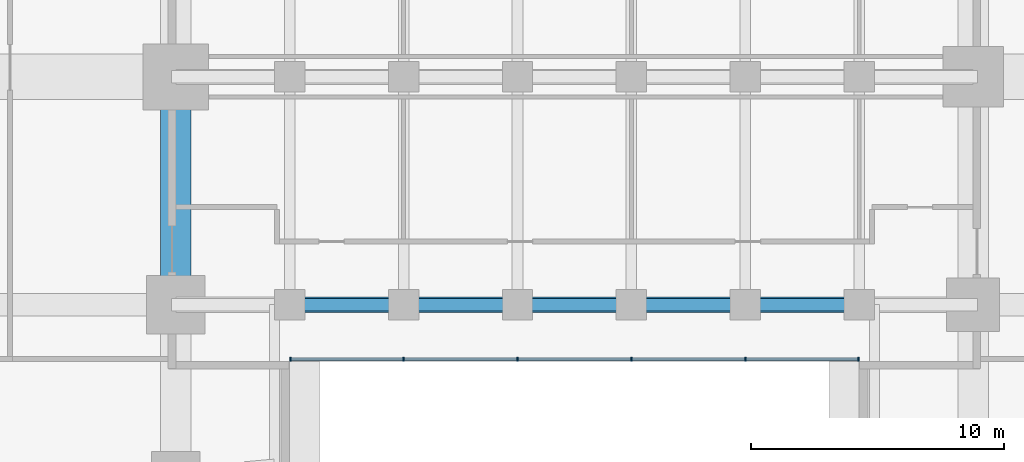
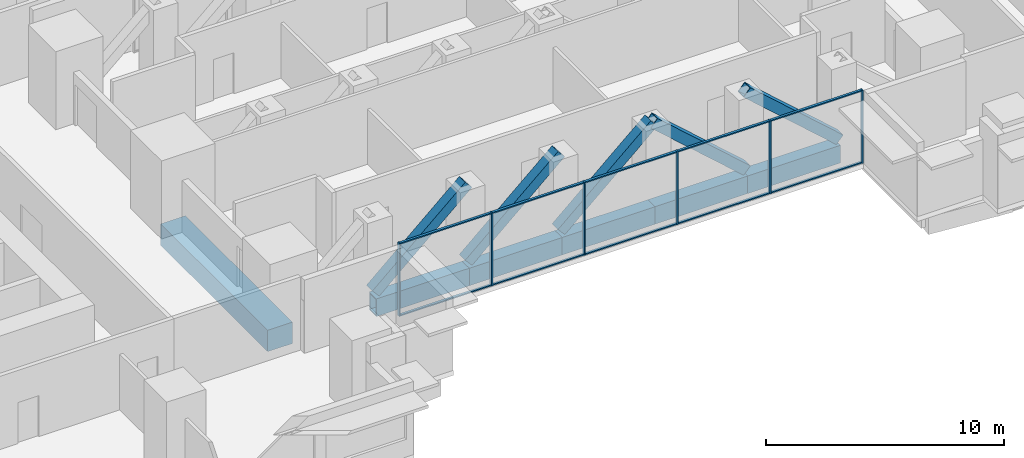
# One storey, part 2 of 16: 21 members, 6 beams, 1 element without a shape of its own.
"""IFC4 building model written with IfcOpenShell, lengths in metres."""

import ifcopenshell
import ifcopenshell.guid

model = None  # the IFC model being written
_history = None  # IfcOwnerHistory: only IFC2X3 demands one
_inside = {}  # id of a spatial element -> (the spatial element, [elements in it])
_under = {}  # id of a project, library or spatial element -> (it, [spatial elements below it])
_declared = {}  # id of a project -> (the project, [libraries it declares])
_typed = {}  # id of a type object -> (the type object, [elements of that type])
_made_of = {}  # id of a material, layer set ... -> (it, [elements and type objects made of it])


def new_model(schema):
    """Start an empty IFC model of exactly this schema.

    Asked for "IFC4X3", IfcOpenShell would pick the latest addendum, in which some entities
    have other attributes; the version numbers below select the first issue.
    IFC2X3 requires an IfcOwnerHistory on every rooted entity: one is made here for all.
    """
    global model, _history
    if schema == "IFC4X3":
        model = ifcopenshell.file(schema_version=(4, 3, 0, 0))
    else:
        model = ifcopenshell.file(schema=schema)
    _inside.clear()
    _under.clear()
    _declared.clear()
    _typed.clear()
    _made_of.clear()
    _history = None
    if model.schema == "IFC2X3":
        org = make("IfcOrganization", Name="unknown")
        user = make(
            "IfcPersonAndOrganization",
            ThePerson=make("IfcPerson", FamilyName="unknown"),
            TheOrganization=org,
        )
        app = make(
            "IfcApplication",
            ApplicationDeveloper=org,
            Version="unknown",
            ApplicationFullName="unknown",
            ApplicationIdentifier="unknown",
        )
        _history = make(
            "IfcOwnerHistory",
            OwningUser=user,
            OwningApplication=app,
            ChangeAction="ADDED",
            CreationDate=0,
        )
    return model


def make(cls, **values):
    """One entity of the class cls with the attributes given. An attribute that is None is left unset."""
    return model.create_entity(
        cls, **{name: value for name, value in values.items() if value is not None}
    )


def rooted(cls, **values):
    """An entity with a GlobalId (a new one), such as an element, a storey or a relation."""
    return make(cls, GlobalId=ifcopenshell.guid.new(), OwnerHistory=_history, **values)


def si_unit(unit_type, name, prefix=None):
    """IfcSIUnit, for example si_unit("LENGTHUNIT", "METRE", prefix="MILLI")."""
    return make("IfcSIUnit", UnitType=unit_type, Prefix=prefix, Name=name)


def assignment(units):
    """IfcUnitAssignment: the units of a project."""
    return None if units is None else make("IfcUnitAssignment", Units=units)


def point(xyz):
    """IfcCartesianPoint."""
    return None if xyz is None else make("IfcCartesianPoint", Coordinates=xyz)


def direction(xyz):
    """IfcDirection."""
    return None if xyz is None else make("IfcDirection", DirectionRatios=xyz)


def frame(location, z_axis=None, x_axis=None):
    """IfcAxis2Placement3D, a coordinate frame: its origin and axes. An axis left out is left unset."""
    return make(
        "IfcAxis2Placement3D",
        Location=point(location),
        Axis=direction(z_axis),
        RefDirection=direction(x_axis),
    )


def frame_2d(location, x_axis=None):
    """IfcAxis2Placement2D, a coordinate frame in the plane: its origin and x axis."""
    return make(
        "IfcAxis2Placement2D", Location=point(location), RefDirection=direction(x_axis)
    )


def origin():
    """The frame at (0, 0, 0) with its axes left unset."""
    return frame((0.0, 0.0, 0.0))


def origin_2d():
    """The frame at (0, 0) in the plane with its x axis left unset."""
    return frame_2d((0.0, 0.0))


def place(relative_to, where):
    """IfcLocalPlacement: puts the frame where relative to a parent placement (None: the world)."""
    return make(
        "IfcLocalPlacement", PlacementRelTo=relative_to, RelativePlacement=where
    )


def context(
    kind, dimensions, precision=None, world=None, true_north=None, identifier=None
):
    """IfcGeometricRepresentationContext, for example the 3D "Model" context."""
    return make(
        "IfcGeometricRepresentationContext",
        ContextIdentifier=identifier,
        ContextType=kind,
        CoordinateSpaceDimension=dimensions,
        Precision=precision,
        WorldCoordinateSystem=world,
        TrueNorth=true_north,
    )


def subcontext(parent, identifier, kind, view, scale=None):
    """IfcGeometricRepresentationSubContext, for example "Body" below "Model"."""
    return make(
        "IfcGeometricRepresentationSubContext",
        ContextIdentifier=identifier,
        ContextType=kind,
        ParentContext=parent,
        TargetScale=scale,
        TargetView=view,
    )


def project(units=None, contexts=None):
    """IfcProject with its units and contexts."""
    return rooted(
        "IfcProject",
        Name="project",
        RepresentationContexts=contexts,
        UnitsInContext=assignment(units),
    )


def spatial(cls, under=None, at=None, **own):
    """A site, building, storey or space (cls), placed at a placement, below another one or the project."""
    s = rooted(cls, ObjectPlacement=at, **own)
    if under is not None:
        _under.setdefault(under.id(), (under, []))[1].append(s)
    return s


def profile(cls, at=None, kind="AREA", **sizes):
    """A parametric profile (cls). Its sizes go by their IFC names, for example OverallWidth=200.0."""
    return make(cls, ProfileType=kind, Position=at, **sizes)


def rectangle(**sizes):
    """IfcRectangleProfileDef."""
    return profile("IfcRectangleProfileDef", **sizes)


def hollow_rectangle(**sizes):
    """IfcRectangleHollowProfileDef."""
    return profile("IfcRectangleHollowProfileDef", **sizes)


def extrude(swept, where, along, depth):
    """IfcExtrudedAreaSolid: the profile swept, set in the frame where, extruded along a direction by depth."""
    return make(
        "IfcExtrudedAreaSolid",
        SweptArea=swept,
        Position=where,
        ExtrudedDirection=direction(along),
        Depth=depth,
    )


def shape(context_of_items, identifier, shape_type, items):
    """IfcShapeRepresentation: the items that make up one representation, for example the "Body"."""
    return make(
        "IfcShapeRepresentation",
        ContextOfItems=context_of_items,
        RepresentationIdentifier=identifier,
        RepresentationType=shape_type,
        Items=items,
    )


def material(Name=None, Category=None):
    """IfcMaterial."""
    return make("IfcMaterial", Name=Name, Category=Category)


def layer(
    of_material, thickness, ventilated=None, Name=None, Category=None, Priority=None
):
    """IfcMaterialLayer: one layer of a wall or slab, of a material (None: an air gap)."""
    return make(
        "IfcMaterialLayer",
        Material=of_material,
        LayerThickness=thickness,
        IsVentilated=ventilated,
        Name=Name,
        Category=Category,
        Priority=Priority,
    )


def layer_set(layers, Name=None):
    """IfcMaterialLayerSet."""
    return make("IfcMaterialLayerSet", MaterialLayers=layers, LayerSetName=Name)


def material_profile(
    of_material, cross_section, Name=None, Category=None, Priority=None
):
    """IfcMaterialProfile: a cross section and its material."""
    return make(
        "IfcMaterialProfile",
        Name=Name,
        Material=of_material,
        Profile=cross_section,
        Priority=Priority,
        Category=Category,
    )


def profile_set(profiles, Name=None, composite=None):
    """IfcMaterialProfileSet."""
    return make(
        "IfcMaterialProfileSet",
        Name=Name,
        MaterialProfiles=profiles,
        CompositeProfile=composite,
    )


def made_of(thing, what):
    """Note that an element or type object is made of a material, layer set ...; save() writes the relation."""
    if what is not None:
        _made_of.setdefault(what.id(), (what, []))[1].append(thing)
    return thing


def type_object(cls, material=None, **own):
    """A type object (cls), such as IfcWallType, which elements share."""
    return made_of(rooted(cls, **own), material)


def element(
    cls,
    number,
    at=None,
    inside=None,
    cuts=None,
    type_object=None,
    material=None,
    context=None,
    identifier="Body",
    shape_type=None,
    held_by="IfcProductDefinitionShape",
    body=None,
    shapes=None,
    **own,
):
    """One element of the class cls, such as IfcWall. Its Tag is "e" and its number.

    at: its placement. inside: the storey or other place that contains it. cuts: it is an
    opening in that element (IfcRelVoidsElement). A single representation is given by context,
    identifier, shape_type and body (its items); several are given by shapes. held_by: the class
    of the entity that holds the representations. save() writes the other relations.
    """
    e = rooted(cls, Tag="e%d" % number, ObjectPlacement=at, **own)
    if body is not None:
        shapes = [shape(context, identifier, shape_type, body)]
    if shapes is not None:
        e.Representation = make(held_by, Representations=shapes)
    if inside is not None:
        _inside.setdefault(inside.id(), (inside, []))[1].append(e)
    if cuts is not None:
        rooted(
            "IfcRelVoidsElement", RelatingBuildingElement=cuts, RelatedOpeningElement=e
        )
    if type_object is not None:
        _typed.setdefault(type_object.id(), (type_object, []))[1].append(e)
    return made_of(e, material)


def aggregate(whole, parts):
    """IfcRelAggregates: a whole, such as a stair, and the parts it consists of."""
    return rooted("IfcRelAggregates", RelatingObject=whole, RelatedObjects=parts)


def save(model, path):
    """Write the relations noted so far, then the file.

    IfcRelAggregates (storeys below a building ...), IfcRelContainedInSpatialStructure (elements
    in a storey), IfcRelDefinesByType, IfcRelAssociatesMaterial and IfcRelDeclares: one each for
    every whole, place, type object, material and project.
    """
    for whole, parts in _under.values():
        aggregate(whole, parts)
    for where, things in _inside.values():
        rooted(
            "IfcRelContainedInSpatialStructure",
            RelatedElements=things,
            RelatingStructure=where,
        )
    for kind, things in _typed.values():
        rooted("IfcRelDefinesByType", RelatedObjects=things, RelatingType=kind)
    for what, things in _made_of.values():
        rooted("IfcRelAssociatesMaterial", RelatedObjects=things, RelatingMaterial=what)
    for by, libraries in _declared.values():
        rooted("IfcRelDeclares", RelatingContext=by, RelatedDefinitions=libraries)
    model.write(path)


model = new_model("IFC4")

# Units and contexts
model_context = context("Model", 3, precision=1e-05, world=origin(), true_north=direction((0.0, 1.0)))
body_context = subcontext(model_context, "Body", "Model", "MODEL_VIEW")
ifc_project = project(units=[si_unit("LENGTHUNIT", "METRE"), si_unit("AREAUNIT", "SQUARE_METRE"), si_unit("VOLUMEUNIT", "CUBIC_METRE"), si_unit("PLANEANGLEUNIT", "RADIAN"), si_unit("MASSUNIT", "GRAM", prefix="KILO")], contexts=[model_context])

# Site, building, storey
site_placement = place(None, origin())
site = spatial("IfcSite", under=ifc_project, at=site_placement, CompositionType="ELEMENT")
building_placement = place(site_placement, origin())
building = spatial("IfcBuilding", under=site, at=building_placement, Name="Namib Vertical Campus", CompositionType="ELEMENT")
storey_placement = place(building_placement, frame((0.0, 0.0, 121.0)))
storey = spatial("IfcBuildingStorey", under=building, at=storey_placement, Name="L28", CompositionType="ELEMENT", Elevation=121.0)

# Members
ifc_material_1 = material(Name="Steel S355JR", Category="steel")
ifc_material_profile_1 = material_profile(ifc_material_1, hollow_rectangle(XDim=0.5, YDim=0.5, WallThickness=0.031982421875, at=origin_2d()))
ifc_profile_set_1 = profile_set([ifc_material_profile_1], Name="Steel S355JR")
member_type_1 = type_object("IfcMemberType", Name="Bridge end brace WB 500x500x32", PredefinedType="BRACE", material=ifc_profile_set_1)
for number, where, z_axis, x_axis, name in (
    (1, (40.5, 11.25, 0.0), (0.747409318684, 0.0, 0.66436383883), (0.0, 1.0, 0.0), "Bridge brace BX1 L28 T1 bay 2"),
    (2, (45.0, 11.25, 0.0), (0.747409318684, 0.0, 0.66436383883), (0.0, 1.0, 0.0), "Bridge brace BX1 L28 T1 bay 3"),
    (3, (49.5, 11.25, 0.0), (0.747409318684, 0.0, 0.66436383883), (0.0, 1.0, 0.0), "Bridge brace BX1 L28 T1 bay 4"),
    (4, (58.5, 11.25, 0.0), (-0.747409318684, 0.0, 0.66436383883), (0.0, -1.0, 0.0), "Bridge brace BX1 L28 T1 bay 5"),
    (5, (63.0, 11.25, 0.0), (-0.747409318684, 0.0, 0.66436383883), (0.0, -1.0, 0.0), "Bridge brace BX1 L28 T1 bay 6"),
):
    element("IfcMember", number, at=place(storey_placement, frame(where, z_axis=z_axis, x_axis=x_axis)), inside=storey, type_object=member_type_1, Name=name, PredefinedType="BRACE", context=body_context, shape_type="SweptSolid", body=[
        extrude(hollow_rectangle(XDim=0.5, YDim=0.5, WallThickness=0.031982421875, at=origin_2d()), origin(), (0.0, 0.0, 1.0), 6.020751953125),
    ])

# Beams
ifc_material_2 = material(Name="Steel S355JR", Category="steel")
ifc_material_profile_2 = material_profile(ifc_material_2, hollow_rectangle(XDim=0.60009765625, YDim=0.89990234375, WallThickness=0.050048828125, at=origin_2d()))
ifc_profile_set_2 = profile_set([ifc_material_profile_2], Name="Steel S355JR")
beam_type_1 = type_object("IfcBeamType", Name="Bridge girder WB 900x600x50", PredefinedType="BEAM", material=ifc_profile_set_2)
for number, where, z_axis, x_axis, name in (
    (6, (40.5, 11.25, -0.699951171875), (1.0, 0.0, 0.0), (0.0, 1.0, 0.0), "Bridge girder BG1 L28"),
    (7, (45.0, 11.25, -0.699951171875), (1.0, 0.0, 0.0), (0.0, 1.0, 0.0), "Bridge girder BG1 L28"),
    (8, (49.5, 11.25, -0.699951171875), (1.0, 0.0, 0.0), (0.0, 1.0, 0.0), "Bridge girder BG1 L28"),
    (9, (54.0, 11.25, -0.699951171875), (1.0, 0.0, 0.0), (0.0, 1.0, 0.0), "Bridge girder BG1 L28"),
    (10, (58.5, 11.25, -0.699951171875), (1.0, 0.0, 0.0), (0.0, 1.0, 0.0), "Bridge girder BG1 L28"),
):
    element("IfcBeam", number, at=place(storey_placement, frame(where, z_axis=z_axis, x_axis=x_axis)), inside=storey, type_object=beam_type_1, Name=name, PredefinedType="BEAM", context=body_context, shape_type="SweptSolid", body=[
        extrude(hollow_rectangle(XDim=0.60009765625, YDim=0.89990234375, WallThickness=0.050048828125, at=origin_2d()), origin(), (0.0, 0.0, 1.0), 4.5),
    ])

# Curtain wall, members
ifc_material_3 = material(Name="Black aluminium curtain wall", Category="aluminium")
ifc_layer = layer(ifc_material_3, 0.199951171875)
ifc_layer_set = layer_set([ifc_layer], Name="Bridge curtain wall CW-BR")
curtain_wall_type = type_object("IfcCurtainWallType", Name="Bridge curtain wall CW-BR", PredefinedType="USERDEFINED", material=ifc_layer_set)
curtain_wall_placement = place(storey_placement, origin())
curtain_wall = element("IfcCurtainWall", 11, at=curtain_wall_placement, inside=storey, type_object=curtain_wall_type, Name="Curtain wall CW-BR L28 S", ObjectType="CURTAIN WALL", PredefinedType="USERDEFINED")
ifc_material_4 = material(Name="Black anodised aluminium", Category="aluminium")
ifc_material_profile_3 = material_profile(ifc_material_4, rectangle(XDim=0.06005859375, YDim=0.159912109375, at=origin_2d()))
ifc_profile_set_3 = profile_set([ifc_material_profile_3], Name="Black anodised aluminium")
member_type_2 = type_object("IfcMemberType", Name="Curtain wall mullion 60x160", PredefinedType="MULLION", material=ifc_profile_set_3)
member_1_placement = place(storey_placement, frame((40.530029296875, 9.10009765625, 0.0), z_axis=(0.0, 0.0, 1.0), x_axis=(1.0, 0.0, 0.0)))
member_1 = element("IfcMember", 12, at=member_1_placement, type_object=member_type_2, Name="CW-BR mullion 1", PredefinedType="MULLION", context=body_context, shape_type="SweptSolid", body=[
    extrude(rectangle(XDim=0.06005859375, YDim=0.159912109375, at=origin_2d()), origin(), (0.0, 0.0, 1.0), 3.75),
])
member_2_placement = place(storey_placement, frame((45.0, 9.10009765625, 0.0), z_axis=(0.0, 0.0, 1.0), x_axis=(1.0, 0.0, 0.0)))
member_2 = element("IfcMember", 13, at=member_2_placement, type_object=member_type_2, Name="CW-BR mullion 2", PredefinedType="MULLION", context=body_context, shape_type="SweptSolid", body=[
    extrude(rectangle(XDim=0.06005859375, YDim=0.159912109375, at=origin_2d()), origin(), (0.0, 0.0, 1.0), 3.75),
])
member_3_placement = place(storey_placement, frame((49.5, 9.10009765625, 0.0), z_axis=(0.0, 0.0, 1.0), x_axis=(1.0, 0.0, 0.0)))
member_3 = element("IfcMember", 14, at=member_3_placement, type_object=member_type_2, Name="CW-BR mullion 3", PredefinedType="MULLION", context=body_context, shape_type="SweptSolid", body=[
    extrude(rectangle(XDim=0.06005859375, YDim=0.159912109375, at=origin_2d()), origin(), (0.0, 0.0, 1.0), 3.75),
])
member_4_placement = place(storey_placement, frame((54.0, 9.10009765625, 0.0), z_axis=(0.0, 0.0, 1.0), x_axis=(1.0, 0.0, 0.0)))
member_4 = element("IfcMember", 15, at=member_4_placement, type_object=member_type_2, Name="CW-BR mullion 4", PredefinedType="MULLION", context=body_context, shape_type="SweptSolid", body=[
    extrude(rectangle(XDim=0.06005859375, YDim=0.159912109375, at=origin_2d()), origin(), (0.0, 0.0, 1.0), 3.75),
])
member_5_placement = place(storey_placement, frame((58.5, 9.10009765625, 0.0), z_axis=(0.0, 0.0, 1.0), x_axis=(1.0, 0.0, 0.0)))
member_5 = element("IfcMember", 16, at=member_5_placement, type_object=member_type_2, Name="CW-BR mullion 5", PredefinedType="MULLION", context=body_context, shape_type="SweptSolid", body=[
    extrude(rectangle(XDim=0.06005859375, YDim=0.159912109375, at=origin_2d()), origin(), (0.0, 0.0, 1.0), 3.75),
])
member_6_placement = place(storey_placement, frame((62.969970703125, 9.10009765625, 0.0), z_axis=(0.0, 0.0, 1.0), x_axis=(1.0, 0.0, 0.0)))
member_6 = element("IfcMember", 17, at=member_6_placement, type_object=member_type_2, Name="CW-BR mullion 6", PredefinedType="MULLION", context=body_context, shape_type="SweptSolid", body=[
    extrude(rectangle(XDim=0.06005859375, YDim=0.159912109375, at=origin_2d()), origin(), (0.0, 0.0, 1.0), 3.75),
])
ifc_material_5 = material(Name="Black anodised aluminium", Category="aluminium")
ifc_material_profile_4 = material_profile(ifc_material_5, rectangle(XDim=0.06005859375, YDim=0.1201171875, at=origin_2d()))
ifc_profile_set_4 = profile_set([ifc_material_profile_4], Name="Black anodised aluminium")
member_type_3 = type_object("IfcMemberType", Name="Curtain wall transom 60x120", PredefinedType="USERDEFINED", material=ifc_profile_set_4)
member_7_placement = place(storey_placement, frame((40.56005859375, 9.10009765625, 0.030029296875), z_axis=(1.0, 0.0, 0.0), x_axis=(0.0, 0.0, 1.0)))
member_7 = element("IfcMember", 18, at=member_7_placement, type_object=member_type_3, Name="CW-BR transom 1.1", ObjectType="TRANSOM", PredefinedType="USERDEFINED", context=body_context, shape_type="SweptSolid", body=[
    extrude(rectangle(XDim=0.06005859375, YDim=0.1201171875, at=origin_2d()), origin(), (0.0, 0.0, 1.0), 4.409912109375),
])
member_8_placement = place(storey_placement, frame((40.56005859375, 9.10009765625, 3.719970703125), z_axis=(1.0, 0.0, 0.0), x_axis=(0.0, 0.0, 1.0)))
member_8 = element("IfcMember", 19, at=member_8_placement, type_object=member_type_3, Name="CW-BR transom 1.2", ObjectType="TRANSOM", PredefinedType="USERDEFINED", context=body_context, shape_type="SweptSolid", body=[
    extrude(rectangle(XDim=0.06005859375, YDim=0.1201171875, at=origin_2d()), origin(), (0.0, 0.0, 1.0), 4.409912109375),
])
member_9_placement = place(storey_placement, frame((45.030029296875, 9.10009765625, 0.030029296875), z_axis=(1.0, 0.0, 0.0), x_axis=(0.0, 0.0, 1.0)))
member_9 = element("IfcMember", 20, at=member_9_placement, type_object=member_type_3, Name="CW-BR transom 2.1", ObjectType="TRANSOM", PredefinedType="USERDEFINED", context=body_context, shape_type="SweptSolid", body=[
    extrude(rectangle(XDim=0.06005859375, YDim=0.1201171875, at=origin_2d()), origin(), (0.0, 0.0, 1.0), 4.43994140625),
])
member_10_placement = place(storey_placement, frame((45.030029296875, 9.10009765625, 3.719970703125), z_axis=(1.0, 0.0, 0.0), x_axis=(0.0, 0.0, 1.0)))
member_10 = element("IfcMember", 21, at=member_10_placement, type_object=member_type_3, Name="CW-BR transom 2.2", ObjectType="TRANSOM", PredefinedType="USERDEFINED", context=body_context, shape_type="SweptSolid", body=[
    extrude(rectangle(XDim=0.06005859375, YDim=0.1201171875, at=origin_2d()), origin(), (0.0, 0.0, 1.0), 4.43994140625),
])
member_11_placement = place(storey_placement, frame((49.530029296875, 9.10009765625, 0.030029296875), z_axis=(1.0, 0.0, 0.0), x_axis=(0.0, 0.0, 1.0)))
member_11 = element("IfcMember", 22, at=member_11_placement, type_object=member_type_3, Name="CW-BR transom 3.1", ObjectType="TRANSOM", PredefinedType="USERDEFINED", context=body_context, shape_type="SweptSolid", body=[
    extrude(rectangle(XDim=0.06005859375, YDim=0.1201171875, at=origin_2d()), origin(), (0.0, 0.0, 1.0), 4.43994140625),
])
member_12_placement = place(storey_placement, frame((49.530029296875, 9.10009765625, 3.719970703125), z_axis=(1.0, 0.0, 0.0), x_axis=(0.0, 0.0, 1.0)))
member_12 = element("IfcMember", 23, at=member_12_placement, type_object=member_type_3, Name="CW-BR transom 3.2", ObjectType="TRANSOM", PredefinedType="USERDEFINED", context=body_context, shape_type="SweptSolid", body=[
    extrude(rectangle(XDim=0.06005859375, YDim=0.1201171875, at=origin_2d()), origin(), (0.0, 0.0, 1.0), 4.43994140625),
])
member_13_placement = place(storey_placement, frame((54.030029296875, 9.10009765625, 0.030029296875), z_axis=(1.0, 0.0, 0.0), x_axis=(0.0, 0.0, 1.0)))
member_13 = element("IfcMember", 24, at=member_13_placement, type_object=member_type_3, Name="CW-BR transom 4.1", ObjectType="TRANSOM", PredefinedType="USERDEFINED", context=body_context, shape_type="SweptSolid", body=[
    extrude(rectangle(XDim=0.06005859375, YDim=0.1201171875, at=origin_2d()), origin(), (0.0, 0.0, 1.0), 4.43994140625),
])
member_14_placement = place(storey_placement, frame((54.030029296875, 9.10009765625, 3.719970703125), z_axis=(1.0, 0.0, 0.0), x_axis=(0.0, 0.0, 1.0)))
member_14 = element("IfcMember", 25, at=member_14_placement, type_object=member_type_3, Name="CW-BR transom 4.2", ObjectType="TRANSOM", PredefinedType="USERDEFINED", context=body_context, shape_type="SweptSolid", body=[
    extrude(rectangle(XDim=0.06005859375, YDim=0.1201171875, at=origin_2d()), origin(), (0.0, 0.0, 1.0), 4.43994140625),
])
member_15_placement = place(storey_placement, frame((58.530029296875, 9.10009765625, 0.030029296875), z_axis=(1.0, 0.0, 0.0), x_axis=(0.0, 0.0, 1.0)))
member_15 = element("IfcMember", 26, at=member_15_placement, type_object=member_type_3, Name="CW-BR transom 5.1", ObjectType="TRANSOM", PredefinedType="USERDEFINED", context=body_context, shape_type="SweptSolid", body=[
    extrude(rectangle(XDim=0.06005859375, YDim=0.1201171875, at=origin_2d()), origin(), (0.0, 0.0, 1.0), 4.409912109375),
])
member_16_placement = place(storey_placement, frame((58.530029296875, 9.10009765625, 3.719970703125), z_axis=(1.0, 0.0, 0.0), x_axis=(0.0, 0.0, 1.0)))
member_16 = element("IfcMember", 27, at=member_16_placement, type_object=member_type_3, Name="CW-BR transom 5.2", ObjectType="TRANSOM", PredefinedType="USERDEFINED", context=body_context, shape_type="SweptSolid", body=[
    extrude(rectangle(XDim=0.06005859375, YDim=0.1201171875, at=origin_2d()), origin(), (0.0, 0.0, 1.0), 4.409912109375),
])
aggregate(curtain_wall, [member_1, member_2, member_3, member_4, member_5, member_6, member_7, member_8, member_9, member_10, member_11, member_12, member_13, member_14, member_15, member_16])

# Beam
ifc_material_6 = material(Name="Concrete C40/50", Category="concrete")
ifc_material_profile_5 = material_profile(ifc_material_6, rectangle(XDim=1.199951171875, YDim=1.10009765625, at=origin_2d()))
ifc_profile_set_5 = profile_set([ifc_material_profile_5], Name="Concrete C40/50")
beam_type_2 = type_object("IfcBeamType", Name="Face ring beam RC 1200x1100", PredefinedType="BEAM", material=ifc_profile_set_5)
beam_placement = place(storey_placement, frame((36.0, 11.25, -0.800048828125), z_axis=(0.0, 1.0, 0.0), x_axis=(-1.0, 0.0, 0.0)))
element("IfcBeam", 28, at=beam_placement, inside=storey, type_object=beam_type_2, Name="Beam B11 L28", PredefinedType="BEAM", context=body_context, shape_type="SweptSolid", body=[
    extrude(rectangle(XDim=1.199951171875, YDim=1.10009765625, at=origin_2d()), origin(), (0.0, 0.0, 1.0), 9.0),
])

save(model, "model.ifc")
